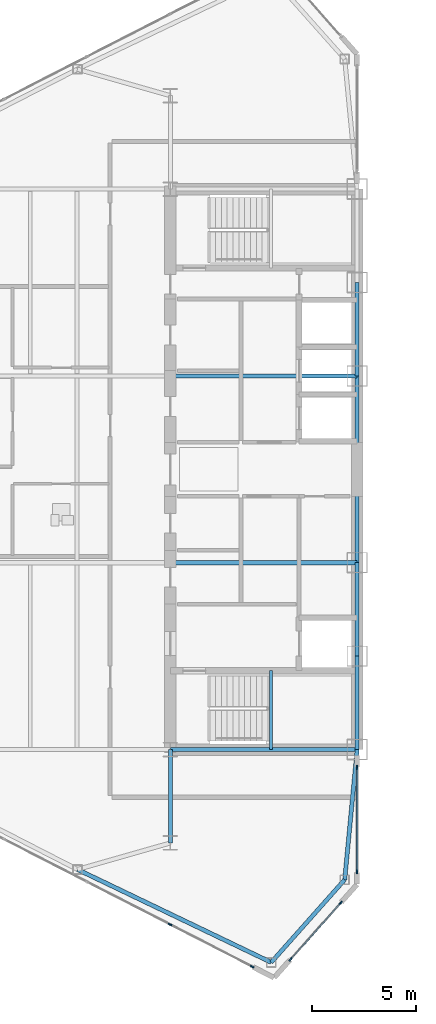
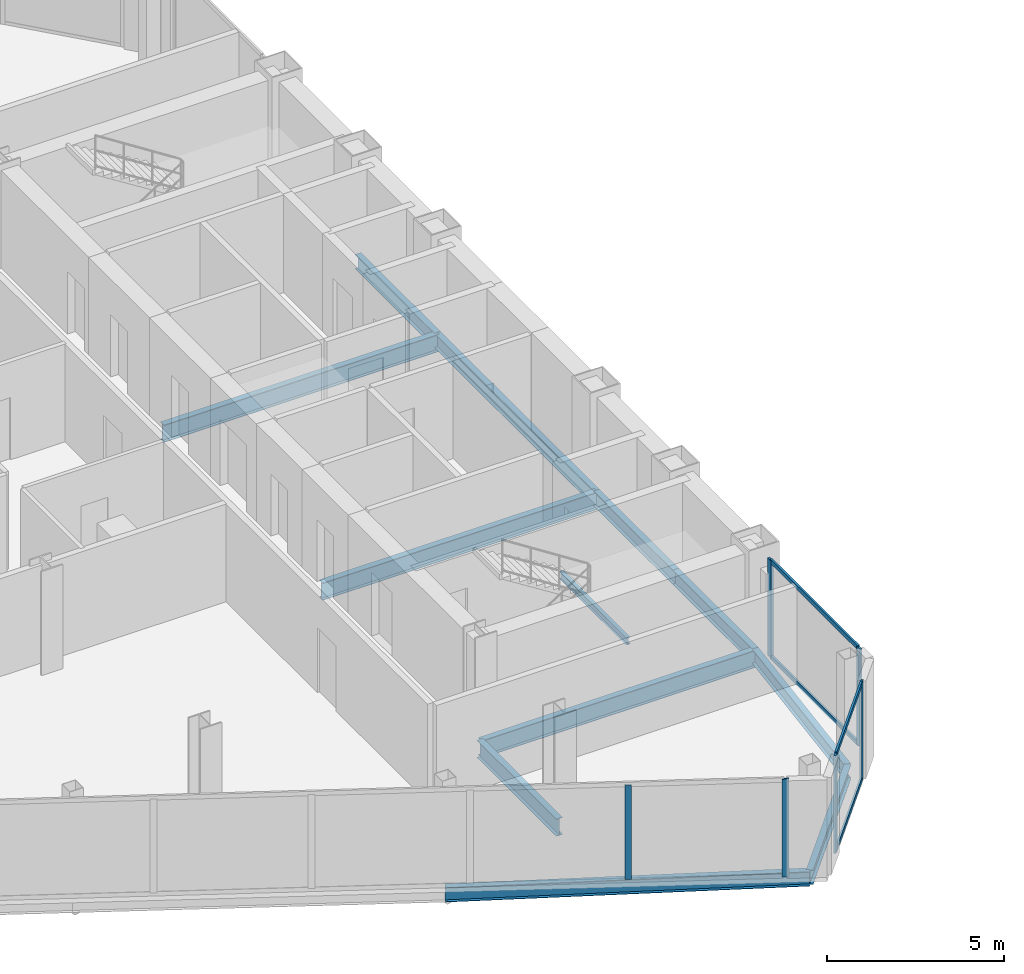
# One storey, part 5 of 22: 12 beams, 10 members, 3 elements without a shape of their own.
"""IFC4 building model written with IfcOpenShell, lengths in metres."""

from ifc_helpers import new_model, si_unit, direction, frame, origin, origin_2d, place, context, subcontext, project, spatial, rectangle, i_section, extrude, source, transform, mapped, material, layer, layer_set, material_profile, profile_set, type_object, type_shapes, element, aggregate, save


model = new_model("IFC4")

# Units and contexts
model_context = context("Model", 3, precision=1e-05, world=origin(), true_north=direction((0.0, 1.0)))
body_context = subcontext(model_context, "Body", "Model", "MODEL_VIEW")
ifc_project = project(units=[si_unit("LENGTHUNIT", "METRE"), si_unit("AREAUNIT", "SQUARE_METRE"), si_unit("VOLUMEUNIT", "CUBIC_METRE"), si_unit("PLANEANGLEUNIT", "RADIAN"), si_unit("MASSUNIT", "GRAM", prefix="KILO")], contexts=[model_context])

# Site, building, storey
site_placement = place(None, origin())
site = spatial("IfcSite", under=ifc_project, at=site_placement, CompositionType="ELEMENT")
building_placement = place(site_placement, origin())
building = spatial("IfcBuilding", under=site, at=building_placement, Name="Seokmaru Belvedere", CompositionType="ELEMENT")
storey_placement = place(building_placement, frame((0.0, 0.0, 151.199951171875)))
storey = spatial("IfcBuildingStorey", under=building, at=storey_placement, Name="L40", CompositionType="ELEMENT", Elevation=151.199951171875)

# Beams
ifc_material_1 = material(Name="Steel SM355 (355 MPa)", Category="steel")
ifc_material_profile_1 = material_profile(ifc_material_1, i_section(OverallWidth=0.199951171875, OverallDepth=0.5, WebThickness=0.010009765625, FlangeThickness=0.01611328125, at=origin_2d()), Name="H-500x200x10x16")
ifc_profile_set_1 = profile_set([ifc_material_profile_1], Name="Steel SM355 (355 MPa)")
beam_type_1 = type_object("IfcBeamType", Name="Perimeter Spandrel Beam H-500", PredefinedType="SPANDREL", material=ifc_profile_set_1)
shared_shape_1 = source(origin(), body_context, "Body", "SweptSolid", [
    extrude(i_section(OverallWidth=0.199951171875, OverallDepth=0.5, WebThickness=0.010009765625, FlangeThickness=0.01611328125, at=origin_2d()), origin(), (0.0, 0.0, 1.0), 4.5),
])
for number, where, z_axis, x_axis, name in (
    (1, (-27.5, -13.5, -0.469970703125), (0.0, 1.0, 0.0), (-1.0, 0.0, 0.0), "L40 W Portal Spine Spandrel 1"),
    (2, (-27.5, -9.0, -0.469970703125), (0.0, 1.0, 0.0), (-1.0, 0.0, 0.0), "L40 W Portal Spine Spandrel 2"),
    (3, (-27.5, 4.5, -0.469970703125), (0.0, 1.0, 0.0), (-1.0, 0.0, 0.0), "L40 W Portal Spine Spandrel 4"),
):
    element("IfcBeam", number, at=place(storey_placement, frame(where, z_axis=z_axis, x_axis=x_axis)), inside=storey, type_object=beam_type_1, Name=name, PredefinedType="SPANDREL", context=body_context, shape_type="MappedRepresentation", body=[
        mapped(shared_shape_1, transform((0.0, 0.0, 0.0), scale=1.0)),
    ])
shared_shape_2 = source(origin(), body_context, "Body", "SweptSolid", [
    extrude(i_section(OverallWidth=0.199951171875, OverallDepth=0.5, WebThickness=0.010009765625, FlangeThickness=0.01611328125, at=origin_2d()), origin(), (0.0, 0.0, 1.0), 9.0),
])
beam_1_placement = place(storey_placement, frame((-27.5, -4.5, -0.469970703125), z_axis=(0.0, 1.0, 0.0), x_axis=(-1.0, 0.0, 0.0)))
element("IfcBeam", 4, at=beam_1_placement, inside=storey, type_object=beam_type_1, Name="L40 W Portal Spine Spandrel 3", PredefinedType="SPANDREL", context=body_context, shape_type="MappedRepresentation", body=[
    mapped(shared_shape_2, transform((0.0, 0.0, 0.0), scale=1.0)),
])
ifc_material_profile_2 = material_profile(ifc_material_1, i_section(OverallWidth=0.199951171875, OverallDepth=0.60009765625, WebThickness=0.010986328125, FlangeThickness=0.01708984375, at=origin_2d()), Name="H-600x200x11x17")
ifc_profile_set_2 = profile_set([ifc_material_profile_2], Name="Steel SM355 (355 MPa)")
beam_type_2 = type_object("IfcBeamType", Name="Primary Floor Girder H-600", PredefinedType="BEAM", material=ifc_profile_set_2)
shared_shape_3 = source(origin(), body_context, "Body", "SweptSolid", [
    extrude(i_section(OverallWidth=0.199951171875, OverallDepth=0.60009765625, WebThickness=0.010986328125, FlangeThickness=0.01708984375, at=origin_2d()), origin(), (0.0, 0.0, 1.0), 9.0),
])
for number, where, z_axis, x_axis, name in (
    (5, (-36.5, -13.5, -0.52001953125), (1.0, 0.0, 0.0), (0.0, 1.0, 0.0), "L40 W Core Tie Girder 1"),
    (6, (-36.5, -4.5, -0.52001953125), (1.0, 0.0, 0.0), (0.0, 1.0, 0.0), "L40 W Core Tie Girder 2"),
    (7, (-36.5, 4.5, -0.52001953125), (1.0, 0.0, 0.0), (0.0, 1.0, 0.0), "L40 W Core Tie Girder 3"),
):
    element("IfcBeam", number, at=place(storey_placement, frame(where, z_axis=z_axis, x_axis=x_axis)), inside=storey, type_object=beam_type_2, Name=name, PredefinedType="BEAM", context=body_context, shape_type="MappedRepresentation", body=[
        mapped(shared_shape_3, transform((0.0, 0.0, 0.0), scale=1.0)),
    ])
shared_shape_4 = source(origin(), body_context, "Body", "SweptSolid", [
    extrude(i_section(OverallWidth=0.199951171875, OverallDepth=0.60009765625, WebThickness=0.010986328125, FlangeThickness=0.01708984375, at=origin_2d()), origin(), (0.0, 0.0, 1.0), 4.5),
])
type_shapes(beam_type_2, [shared_shape_3, shared_shape_4])
beam_2_placement = place(storey_placement, frame((-36.5, -18.0, -0.52001953125), z_axis=(0.0, 1.0, 0.0), x_axis=(-1.0, 0.0, 0.0)))
element("IfcBeam", 8, at=beam_2_placement, inside=storey, type_object=beam_type_2, Name="L40 W Core Shoulder Girder S", PredefinedType="BEAM", context=body_context, shape_type="MappedRepresentation", body=[
    mapped(shared_shape_4, transform((0.0, 0.0, 0.0), scale=1.0)),
])
shared_shape_5 = source(origin(), body_context, "Body", "SweptSolid", [
    extrude(i_section(OverallWidth=0.199951171875, OverallDepth=0.5, WebThickness=0.010009765625, FlangeThickness=0.01611328125, at=origin_2d()), origin(), (0.0, 0.0, 1.0), 10.353759765625),
])
beam_3_placement = place(storey_placement, frame((-31.6396484375, -23.75390625, -0.469970703125), z_axis=(-0.901713202822, 0.432334708134, 0.0), x_axis=(-0.432334708134, -0.901713202822, 0.0)))
element("IfcBeam", 9, at=beam_3_placement, inside=storey, type_object=beam_type_1, Name="L40 W Faceted Flank Spandrel S-1", PredefinedType="SPANDREL", context=body_context, shape_type="MappedRepresentation", body=[
    mapped(shared_shape_5, transform((0.0, 0.0, 0.0), scale=1.0)),
])
shared_shape_6 = source(origin(), body_context, "Body", "SweptSolid", [
    extrude(i_section(OverallWidth=0.199951171875, OverallDepth=0.5, WebThickness=0.010009765625, FlangeThickness=0.01611328125, at=origin_2d()), origin(), (0.0, 0.0, 1.0), 5.32763671875),
])
beam_4_placement = place(storey_placement, frame((-31.6396484375, -23.75390625, -0.469970703125), z_axis=(0.66436952742, 0.74740426212, 0.0), x_axis=(-0.74740426212, 0.66436952742, 0.0)))
element("IfcBeam", 10, at=beam_4_placement, inside=storey, type_object=beam_type_1, Name="L40 W Shoulder Chamfer Spandrel S", PredefinedType="SPANDREL", context=body_context, shape_type="MappedRepresentation", body=[
    mapped(shared_shape_6, transform((0.0, 0.0, 0.0), scale=1.0)),
])
shared_shape_7 = source(origin(), body_context, "Body", "SweptSolid", [
    extrude(i_section(OverallWidth=0.199951171875, OverallDepth=0.5, WebThickness=0.010009765625, FlangeThickness=0.01611328125, at=origin_2d()), origin(), (0.0, 0.0, 1.0), 6.300537109375),
])
type_shapes(beam_type_1, [shared_shape_1, shared_shape_2, shared_shape_5, shared_shape_6, shared_shape_7])
beam_5_placement = place(storey_placement, frame((-28.10009765625, -19.77197265625, -0.469970703125), z_axis=(0.095244287992, 0.995453929424, 0.0), x_axis=(-0.995453929424, 0.095244287992, 0.0)))
element("IfcBeam", 11, at=beam_5_placement, inside=storey, type_object=beam_type_1, Name="L40 W Shoulder Spine Spandrel S", PredefinedType="SPANDREL", context=body_context, shape_type="MappedRepresentation", body=[
    mapped(shared_shape_7, transform((0.0, 0.0, 0.0), scale=1.0)),
])

# Curtain wall, members
ifc_material_2 = material(Name="Bronze Triple Insulating Glass", Category="glass")
ifc_layer = layer(ifc_material_2, 0.195068359375)
ifc_layer_set = layer_set([ifc_layer], Name="Bronze Triple Insulating Glass")
curtain_wall_type = type_object("IfcCurtainWallType", Name="Sky-Lobby and Mid-Rise Curtain Wall System CW-4", PredefinedType="NOTDEFINED", material=ifc_layer_set)
curtain_wall_1_placement = place(storey_placement, origin())
curtain_wall_1 = element("IfcCurtainWall", 12, at=curtain_wall_1_placement, inside=storey, type_object=curtain_wall_type, Name="L40 Curtain Wall WSP_1", PredefinedType="NOTDEFINED")
ifc_material_3 = material(Name="Anodised Bronze Aluminium", Category="aluminium")
ifc_material_profile_3 = material_profile(ifc_material_3, rectangle(XDim=0.070068359375, YDim=0.195068359375, at=origin_2d()), Name="CW-M-70x195")
ifc_profile_set_3 = profile_set([ifc_material_profile_3], Name="Anodised Bronze Aluminium")
member_type_1 = type_object("IfcMemberType", Name="Bronze Unitised Mullion 70x195", PredefinedType="MULLION", material=ifc_profile_set_3)
shared_shape_8 = source(origin(), body_context, "Body", "SweptSolid", [
    extrude(rectangle(XDim=0.070068359375, YDim=0.195068359375, at=origin_2d()), origin(), (0.0, 0.0, 1.0), 3.380126953125),
])
member_1_placement = place(storey_placement, frame((-27.5, -19.39501953125, 0.0), z_axis=(0.0, 0.0, 1.0), x_axis=(-1.0, 0.0, 0.0)))
member_1 = element("IfcMember", 13, at=member_1_placement, type_object=member_type_1, Name="CW:L40:WSP_1 Mullion 1", PredefinedType="MULLION", context=body_context, shape_type="MappedRepresentation", body=[
    mapped(shared_shape_8, transform((0.0, 0.0, 0.0), scale=1.0)),
])
member_2_placement = place(storey_placement, frame((-27.5, -14.364990234375, 0.0), z_axis=(0.0, 0.0, 1.0), x_axis=(-1.0, 0.0, 0.0)))
member_2 = element("IfcMember", 14, at=member_2_placement, type_object=member_type_1, Name="CW:L40:WSP_1 Mullion 2", PredefinedType="MULLION", context=body_context, shape_type="MappedRepresentation", body=[
    mapped(shared_shape_8, transform((0.0, 0.0, 0.0), scale=1.0)),
])

# Curtain wall, member
curtain_wall_2_placement = place(storey_placement, origin())
curtain_wall_2 = element("IfcCurtainWall", 15, at=curtain_wall_2_placement, inside=storey, type_object=curtain_wall_type, Name="L40 Curtain Wall WF5", PredefinedType="NOTDEFINED")
member_3_placement = place(storey_placement, frame((-32.55419921875, -23.958984375, 0.0), z_axis=(0.0, 0.0, 1.0), x_axis=(0.456554528263, 0.889695432562, 0.0)))
member_3 = element("IfcMember", 16, at=member_3_placement, type_object=member_type_1, Name="CW:L40:WF5 Mullion 10", PredefinedType="MULLION", context=body_context, shape_type="MappedRepresentation", body=[
    mapped(shared_shape_8, transform((0.0, 0.0, 0.0), scale=1.0)),
])

# Curtain wall, members
curtain_wall_3_placement = place(storey_placement, origin())
curtain_wall_3 = element("IfcCurtainWall", 17, at=curtain_wall_3_placement, inside=storey, type_object=curtain_wall_type, Name="L40 Curtain Wall WF6", PredefinedType="NOTDEFINED")
member_4_placement = place(storey_placement, frame((-30.712646484375, -23.6142578125, 0.0), z_axis=(0.0, 0.0, 1.0), x_axis=(-0.747409774804, 0.664363325694, 0.0)))
member_4 = element("IfcMember", 18, at=member_4_placement, type_object=member_type_1, Name="CW:L40:WF6 Mullion 1", PredefinedType="MULLION", context=body_context, shape_type="MappedRepresentation", body=[
    mapped(shared_shape_8, transform((0.0, 0.0, 0.0), scale=1.0)),
])
member_5_placement = place(storey_placement, frame((-28.287353515625, -20.8857421875, 0.0), z_axis=(0.0, 0.0, 1.0), x_axis=(-0.747409774804, 0.664363325694, 0.0)))
member_5 = element("IfcMember", 19, at=member_5_placement, type_object=member_type_1, Name="CW:L40:WF6 Mullion 2", PredefinedType="MULLION", context=body_context, shape_type="MappedRepresentation", body=[
    mapped(shared_shape_8, transform((0.0, 0.0, 0.0), scale=1.0)),
])
ifc_material_profile_4 = material_profile(ifc_material_3, rectangle(XDim=0.06494140625, YDim=0.14990234375, at=origin_2d()), Name="CW-T-65x150")
ifc_profile_set_4 = profile_set([ifc_material_profile_4], Name="Anodised Bronze Aluminium")
member_type_2 = type_object("IfcMemberType", Name="Bronze Unitised Transom 65x150", PredefinedType="USERDEFINED", material=ifc_profile_set_4)
shared_shape_9 = source(origin(), body_context, "Body", "SweptSolid", [
    extrude(rectangle(XDim=0.06494140625, YDim=0.14990234375, at=origin_2d()), origin(), (0.0, 0.0, 1.0), 3.580810546875),
])
member_6_placement = place(storey_placement, frame((-30.689453125, -23.588134765625, 0.032470703125), z_axis=(0.66436383883, 0.747409318684, 0.0), x_axis=(-0.747409318684, 0.66436383883, 0.0)))
member_6 = element("IfcMember", 20, at=member_6_placement, type_object=member_type_2, Name="CW:L40:WF6 Continuous Transom 1", ObjectType="TRANSOM", PredefinedType="USERDEFINED", context=body_context, shape_type="MappedRepresentation", body=[
    mapped(shared_shape_9, transform((0.0, 0.0, 0.0), scale=1.0)),
])
member_7_placement = place(storey_placement, frame((-30.689453125, -23.588134765625, 3.34765625), z_axis=(0.66436383883, 0.747409318684, 0.0), x_axis=(-0.747409318684, 0.66436383883, 0.0)))
member_7 = element("IfcMember", 21, at=member_7_placement, type_object=member_type_2, Name="CW:L40:WF6 Continuous Transom 2", ObjectType="TRANSOM", PredefinedType="USERDEFINED", context=body_context, shape_type="MappedRepresentation", body=[
    mapped(shared_shape_9, transform((0.0, 0.0, 0.0), scale=1.0)),
])
aggregate(curtain_wall_3, [member_4, member_5, member_6, member_7])

# Member
shared_shape_10 = source(origin(), body_context, "Body", "SweptSolid", [
    extrude(rectangle(XDim=0.070068359375, YDim=0.195068359375, at=origin_2d()), origin(), (0.0, 0.0, 1.0), 3.25),
])
type_shapes(member_type_1, [shared_shape_8, shared_shape_10])
member_8_placement = place(storey_placement, frame((-36.51806640625, -21.925048828125, 0.06494140625), z_axis=(0.0, 0.0, 1.0), x_axis=(0.456554528263, 0.889695432562, 0.0)))
member_8 = element("IfcMember", 22, at=member_8_placement, type_object=member_type_1, Name="CW:L40:WF5 Mullion 9", PredefinedType="MULLION", context=body_context, shape_type="MappedRepresentation", body=[
    mapped(shared_shape_10, transform((0.0, 0.0, 0.0), scale=1.0)),
])

aggregate(curtain_wall_2, [member_8, member_3])

shared_shape_11 = source(origin(), body_context, "Body", "SweptSolid", [
    extrude(rectangle(XDim=0.06494140625, YDim=0.14990234375, at=origin_2d()), origin(), (0.0, 0.0, 1.0), 4.960205078125),
])
type_shapes(member_type_2, [shared_shape_9, shared_shape_11])
member_9_placement = place(storey_placement, frame((-27.5, -19.360107421875, 0.032470703125), z_axis=(0.0, 1.0, 0.0), x_axis=(-1.0, 0.0, 0.0)))
member_9 = element("IfcMember", 23, at=member_9_placement, type_object=member_type_2, Name="CW:L40:WSP_1 Continuous Transom 1", ObjectType="TRANSOM", PredefinedType="USERDEFINED", context=body_context, shape_type="MappedRepresentation", body=[
    mapped(shared_shape_11, transform((0.0, 0.0, 0.0), scale=1.0)),
])

member_10_placement = place(storey_placement, frame((-27.5, -19.360107421875, 3.34765625), z_axis=(0.0, 1.0, 0.0), x_axis=(-1.0, 0.0, 0.0)))
member_10 = element("IfcMember", 24, at=member_10_placement, type_object=member_type_2, Name="CW:L40:WSP_1 Continuous Transom 2", ObjectType="TRANSOM", PredefinedType="USERDEFINED", context=body_context, shape_type="MappedRepresentation", body=[
    mapped(shared_shape_11, transform((0.0, 0.0, 0.0), scale=1.0)),
])

aggregate(curtain_wall_1, [member_1, member_2, member_9, member_10])

# Beam
ifc_material_profile_5 = material_profile(ifc_material_1, i_section(OverallWidth=0.125, OverallDepth=0.25, WebThickness=0.006103515625, FlangeThickness=0.009033203125, at=origin_2d()), Name="H-250x125x6x9")
ifc_profile_set_5 = profile_set([ifc_material_profile_5], Name="Steel SM355 (355 MPa)")
beam_type_3 = type_object("IfcBeamType", Name="Stair Mid-Landing Support Beam H-250", PredefinedType="JOIST", material=ifc_profile_set_5)
shared_shape_12 = source(origin(), body_context, "Body", "SweptSolid", [
    extrude(i_section(OverallWidth=0.125, OverallDepth=0.25, WebThickness=0.006103515625, FlangeThickness=0.009033203125, at=origin_2d()), origin(), (0.0, 0.0, 1.0), 3.800048828125),
])
type_shapes(beam_type_3, [shared_shape_12])
beam_6_placement = place(storey_placement, frame((-31.64990234375, -13.5, 1.47509765625), z_axis=(0.0, 1.0, 0.0), x_axis=(-1.0, 0.0, 0.0)))
element("IfcBeam", 25, at=beam_6_placement, inside=storey, type_object=beam_type_3, Name="L40 Stair ST-W1 Mid-Landing Support Beam 1", PredefinedType="JOIST", context=body_context, shape_type="MappedRepresentation", body=[
    mapped(shared_shape_12, transform((0.0, 0.0, 0.0), scale=1.0)),
])

save(model, "model.ifc")
